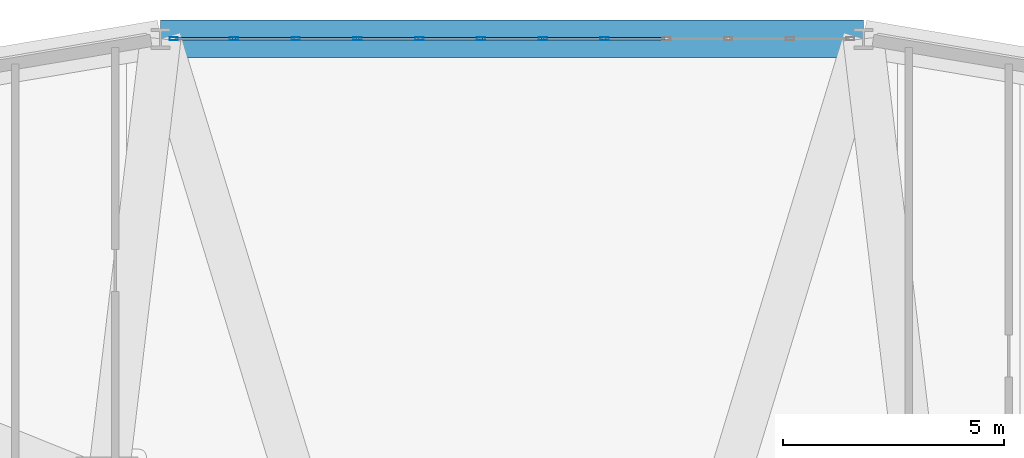
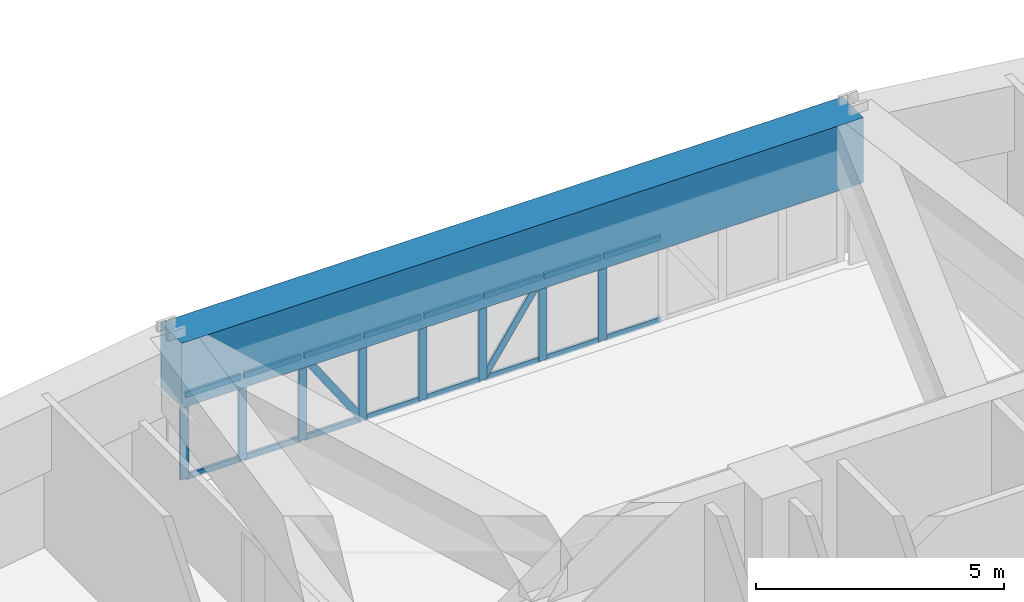
# One storey, part 11 of 20: 26 members, 1 beam, 1 element without a shape of its own.
"""IFC4 building model written with IfcOpenShell, lengths in metres."""

from ifc_helpers import new_model, si_unit, derived_unit, direction, frame, origin, origin_2d, place, context, subcontext, project, spatial, rectangle, hollow_rectangle, extrude, source, transform, mapped, material, layer, layer_set, material_profile, profile_set, type_object, element, aggregate, save


model = new_model("IFC4")

# Units and contexts
model_context = context("Model", 3, precision=1e-05, world=origin(), true_north=direction((0.0, 1.0)))
body_context = subcontext(model_context, "Body", "Model", "MODEL_VIEW")
ifc_project = project(units=[si_unit("LENGTHUNIT", "METRE"), si_unit("AREAUNIT", "SQUARE_METRE"), si_unit("VOLUMEUNIT", "CUBIC_METRE"), si_unit("PLANEANGLEUNIT", "RADIAN"), si_unit("MASSUNIT", "GRAM", prefix="KILO"), derived_unit("THERMALTRANSMITTANCEUNIT", [(si_unit("POWERUNIT", "WATT"), 1), (si_unit("LENGTHUNIT", "METRE"), -2), (si_unit("THERMODYNAMICTEMPERATUREUNIT", "KELVIN"), -1)])], contexts=[model_context])

# Site, building, storey
site_placement = place(None, origin())
site = spatial("IfcSite", under=ifc_project, at=site_placement, CompositionType="ELEMENT")
building_placement = place(site_placement, origin())
building = spatial("IfcBuilding", under=site, at=building_placement, Name="Korsvarv Bourse and Concert Hall", CompositionType="ELEMENT")
storey_placement = place(building_placement, frame((0.0, 0.0, 43.5)))
storey = spatial("IfcBuildingStorey", under=building, at=storey_placement, Name="L10", CompositionType="ELEMENT", Elevation=43.5)

# Beam
ifc_material_1 = material(Name="Concrete C55/67", Category="concrete")
ifc_material_profile_1 = material_profile(ifc_material_1, rectangle(XDim=0.85009765625, YDim=1.60009765625, at=origin_2d()), Name="RC-BM 850x1600")
ifc_profile_set_1 = profile_set([ifc_material_profile_1], Name="Concrete C55/67")
beam_type = type_object("IfcBeamType", Name="BM-TR1B", PredefinedType="BEAM", material=ifc_profile_set_1)
shared_shape_1 = source(origin(), body_context, "Body", "SweptSolid", [
    extrude(rectangle(XDim=0.85009765625, YDim=1.60009765625, at=origin_2d()), origin(), (0.0, 0.0, 1.0), 15.88232421875),
])
beam_placement = place(storey_placement, frame((43.941162109375, 57.401611328125, 2.8798828125), z_axis=(-1.0, 0.0, 0.0), x_axis=(0.0, -1.0, 0.0)))
element("IfcBeam", 1, at=beam_placement, inside=storey, type_object=beam_type, Name="L10 beam B-TR2", PredefinedType="BEAM", context=body_context, shape_type="MappedRepresentation", body=[
    mapped(shared_shape_1, transform((0.0, 0.0, 0.0), scale=1.0)),
])

# Curtain wall, members
ifc_material_2 = material(Name="Anodised aluminium and triple low-E glazing", Category="glass")
ifc_layer = layer(ifc_material_2, 0.219970703125)
ifc_layer_set = layer_set([ifc_layer], Name="Anodised aluminium and triple low-E glazing")
curtain_wall_type = type_object("IfcCurtainWallType", Name="CW-SYS-1", PredefinedType="NOTDEFINED", material=ifc_layer_set)
curtain_wall_placement = place(storey_placement, origin())
curtain_wall = element("IfcCurtainWall", 2, at=curtain_wall_placement, inside=storey, type_object=curtain_wall_type, Name="L10 CW1 curtain wall CW-L10-F03", PredefinedType="NOTDEFINED")
ifc_material_3 = material(Name="Extruded aluminium EN AW-6063 T66", Category="aluminium")
ifc_material_profile_2 = material_profile(ifc_material_3, hollow_rectangle(XDim=0.070068359375, YDim=0.18994140625, WallThickness=0.0048828125, at=origin_2d()), Name="ALU-M 70x190")
ifc_profile_set_2 = profile_set([ifc_material_profile_2], Name="Extruded aluminium EN AW-6063 T66")
member_type_1 = type_object("IfcMemberType", Name="CWM-190", PredefinedType="MULLION", material=ifc_profile_set_2)
shared_shape_2 = source(origin(), body_context, "Body", "SweptSolid", [
    extrude(hollow_rectangle(XDim=0.070068359375, YDim=0.18994140625, WallThickness=0.0048828125, at=origin_2d()), origin(), (0.0, 0.0, 1.0), 2.080078125),
])
member_1_placement = place(storey_placement, frame((38.09423828125, 57.401611328125, 0.0), z_axis=(0.0, 0.0, 1.0), x_axis=(0.0, -1.0, 0.0)))
member_1 = element("IfcMember", 3, at=member_1_placement, type_object=member_type_1, Name="CW1 mullion 5", PredefinedType="MULLION", context=body_context, shape_type="MappedRepresentation", body=[
    mapped(shared_shape_2, transform((0.0, 0.0, 0.0), scale=1.0)),
])
member_2_placement = place(storey_placement, frame((36.697998046875, 57.401611328125, 0.0), z_axis=(0.0, 0.0, 1.0), x_axis=(0.0, -1.0, 0.0)))
member_2 = element("IfcMember", 4, at=member_2_placement, type_object=member_type_1, Name="CW1 mullion 6", PredefinedType="MULLION", context=body_context, shape_type="MappedRepresentation", body=[
    mapped(shared_shape_2, transform((0.0, 0.0, 0.0), scale=1.0)),
])
member_3_placement = place(storey_placement, frame((35.302001953125, 57.401611328125, 0.0), z_axis=(0.0, 0.0, 1.0), x_axis=(0.0, -1.0, 0.0)))
member_3 = element("IfcMember", 5, at=member_3_placement, type_object=member_type_1, Name="CW1 mullion 7", PredefinedType="MULLION", context=body_context, shape_type="MappedRepresentation", body=[
    mapped(shared_shape_2, transform((0.0, 0.0, 0.0), scale=1.0)),
])
member_4_placement = place(storey_placement, frame((33.90576171875, 57.401611328125, 0.0), z_axis=(0.0, 0.0, 1.0), x_axis=(0.0, -1.0, 0.0)))
member_4 = element("IfcMember", 6, at=member_4_placement, type_object=member_type_1, Name="CW1 mullion 8", PredefinedType="MULLION", context=body_context, shape_type="MappedRepresentation", body=[
    mapped(shared_shape_2, transform((0.0, 0.0, 0.0), scale=1.0)),
])
member_5_placement = place(storey_placement, frame((32.509521484375, 57.401611328125, 0.0), z_axis=(0.0, 0.0, 1.0), x_axis=(0.0, -1.0, 0.0)))
member_5 = element("IfcMember", 7, at=member_5_placement, type_object=member_type_1, Name="CW1 mullion 9", PredefinedType="MULLION", context=body_context, shape_type="MappedRepresentation", body=[
    mapped(shared_shape_2, transform((0.0, 0.0, 0.0), scale=1.0)),
])
member_6_placement = place(storey_placement, frame((31.11328125, 57.401611328125, 0.0), z_axis=(0.0, 0.0, 1.0), x_axis=(0.0, -1.0, 0.0)))
member_6 = element("IfcMember", 8, at=member_6_placement, type_object=member_type_1, Name="CW1 mullion 10", PredefinedType="MULLION", context=body_context, shape_type="MappedRepresentation", body=[
    mapped(shared_shape_2, transform((0.0, 0.0, 0.0), scale=1.0)),
])
member_7_placement = place(storey_placement, frame((29.717041015625, 57.401611328125, 0.0), z_axis=(0.0, 0.0, 1.0), x_axis=(0.0, -1.0, 0.0)))
member_7 = element("IfcMember", 9, at=member_7_placement, type_object=member_type_1, Name="CW1 mullion 11", PredefinedType="MULLION", context=body_context, shape_type="MappedRepresentation", body=[
    mapped(shared_shape_2, transform((0.0, 0.0, 0.0), scale=1.0)),
])
member_8_placement = place(storey_placement, frame((28.35595703125, 57.401611328125, 0.0), z_axis=(0.0, 0.0, 1.0), x_axis=(0.0, -1.0, 0.0)))
member_8 = element("IfcMember", 10, at=member_8_placement, type_object=member_type_1, Name="CW1 mullion 12", PredefinedType="MULLION", context=body_context, shape_type="MappedRepresentation", body=[
    mapped(shared_shape_2, transform((0.0, 0.0, 0.0), scale=1.0)),
])
ifc_material_profile_3 = material_profile(ifc_material_3, hollow_rectangle(XDim=0.06494140625, YDim=0.139892578125, WallThickness=0.00390625, at=origin_2d()), Name="ALU-T 65x140")
ifc_profile_set_3 = profile_set([ifc_material_profile_3], Name="Extruded aluminium EN AW-6063 T66")
member_type_2 = type_object("IfcMemberType", Name="CWT-140", PredefinedType="USERDEFINED", material=ifc_profile_set_3)
shared_shape_3 = source(origin(), body_context, "Body", "SweptSolid", [
    extrude(hollow_rectangle(XDim=0.06494140625, YDim=0.139892578125, WallThickness=0.00390625, at=origin_2d()), origin(), (0.0, 0.0, 1.0), 1.291259765625),
])
member_9_placement = place(storey_placement, frame((29.68212890625, 57.401611328125, 0.032470703125), z_axis=(-1.0, 0.0, 0.0), x_axis=(0.0, -1.0, 0.0)))
member_9 = element("IfcMember", 11, at=member_9_placement, type_object=member_type_2, Name="CW1 transom 11.1", ObjectType="TRANSOM", PredefinedType="USERDEFINED", context=body_context, shape_type="MappedRepresentation", body=[
    mapped(shared_shape_3, transform((0.0, 0.0, 0.0), scale=1.0)),
])
member_10_placement = place(storey_placement, frame((29.68212890625, 57.401611328125, 2.047607421875), z_axis=(-1.0, 0.0, 0.0), x_axis=(0.0, -1.0, 0.0)))
member_10 = element("IfcMember", 12, at=member_10_placement, type_object=member_type_2, Name="CW1 transom 11.2", ObjectType="TRANSOM", PredefinedType="USERDEFINED", context=body_context, shape_type="MappedRepresentation", body=[
    mapped(shared_shape_3, transform((0.0, 0.0, 0.0), scale=1.0)),
])
shared_shape_4 = source(origin(), body_context, "Body", "SweptSolid", [
    extrude(hollow_rectangle(XDim=0.06494140625, YDim=0.139892578125, WallThickness=0.00390625, at=origin_2d()), origin(), (0.0, 0.0, 1.0), 1.326171875),
])
member_11_placement = place(storey_placement, frame((39.45556640625, 57.401611328125, 0.032470703125), z_axis=(-1.0, 0.0, 0.0), x_axis=(0.0, -1.0, 0.0)))
member_11 = element("IfcMember", 13, at=member_11_placement, type_object=member_type_2, Name="CW1 transom 4.1", ObjectType="TRANSOM", PredefinedType="USERDEFINED", context=body_context, shape_type="MappedRepresentation", body=[
    mapped(shared_shape_4, transform((0.0, 0.0, 0.0), scale=1.0)),
])
member_12_placement = place(storey_placement, frame((39.45556640625, 57.401611328125, 2.047607421875), z_axis=(-1.0, 0.0, 0.0), x_axis=(0.0, -1.0, 0.0)))
member_12 = element("IfcMember", 14, at=member_12_placement, type_object=member_type_2, Name="CW1 transom 4.2", ObjectType="TRANSOM", PredefinedType="USERDEFINED", context=body_context, shape_type="MappedRepresentation", body=[
    mapped(shared_shape_4, transform((0.0, 0.0, 0.0), scale=1.0)),
])
member_13_placement = place(storey_placement, frame((38.059326171875, 57.401611328125, 0.032470703125), z_axis=(-1.0, 0.0, 0.0), x_axis=(0.0, -1.0, 0.0)))
member_13 = element("IfcMember", 15, at=member_13_placement, type_object=member_type_2, Name="CW1 transom 5.1", ObjectType="TRANSOM", PredefinedType="USERDEFINED", context=body_context, shape_type="MappedRepresentation", body=[
    mapped(shared_shape_4, transform((0.0, 0.0, 0.0), scale=1.0)),
])
member_14_placement = place(storey_placement, frame((38.059326171875, 57.401611328125, 2.047607421875), z_axis=(-1.0, 0.0, 0.0), x_axis=(0.0, -1.0, 0.0)))
member_14 = element("IfcMember", 16, at=member_14_placement, type_object=member_type_2, Name="CW1 transom 5.2", ObjectType="TRANSOM", PredefinedType="USERDEFINED", context=body_context, shape_type="MappedRepresentation", body=[
    mapped(shared_shape_4, transform((0.0, 0.0, 0.0), scale=1.0)),
])
member_15_placement = place(storey_placement, frame((36.6630859375, 57.401611328125, 0.032470703125), z_axis=(-1.0, 0.0, 0.0), x_axis=(0.0, -1.0, 0.0)))
member_15 = element("IfcMember", 17, at=member_15_placement, type_object=member_type_2, Name="CW1 transom 6.1", ObjectType="TRANSOM", PredefinedType="USERDEFINED", context=body_context, shape_type="MappedRepresentation", body=[
    mapped(shared_shape_4, transform((0.0, 0.0, 0.0), scale=1.0)),
])
member_16_placement = place(storey_placement, frame((36.6630859375, 57.401611328125, 2.047607421875), z_axis=(-1.0, 0.0, 0.0), x_axis=(0.0, -1.0, 0.0)))
member_16 = element("IfcMember", 18, at=member_16_placement, type_object=member_type_2, Name="CW1 transom 6.2", ObjectType="TRANSOM", PredefinedType="USERDEFINED", context=body_context, shape_type="MappedRepresentation", body=[
    mapped(shared_shape_4, transform((0.0, 0.0, 0.0), scale=1.0)),
])
member_17_placement = place(storey_placement, frame((35.266845703125, 57.401611328125, 0.032470703125), z_axis=(-1.0, 0.0, 0.0), x_axis=(0.0, -1.0, 0.0)))
member_17 = element("IfcMember", 19, at=member_17_placement, type_object=member_type_2, Name="CW1 transom 7.1", ObjectType="TRANSOM", PredefinedType="USERDEFINED", context=body_context, shape_type="MappedRepresentation", body=[
    mapped(shared_shape_4, transform((0.0, 0.0, 0.0), scale=1.0)),
])
member_18_placement = place(storey_placement, frame((35.266845703125, 57.401611328125, 2.047607421875), z_axis=(-1.0, 0.0, 0.0), x_axis=(0.0, -1.0, 0.0)))
member_18 = element("IfcMember", 20, at=member_18_placement, type_object=member_type_2, Name="CW1 transom 7.2", ObjectType="TRANSOM", PredefinedType="USERDEFINED", context=body_context, shape_type="MappedRepresentation", body=[
    mapped(shared_shape_4, transform((0.0, 0.0, 0.0), scale=1.0)),
])
member_19_placement = place(storey_placement, frame((33.87060546875, 57.401611328125, 0.032470703125), z_axis=(-1.0, 0.0, 0.0), x_axis=(0.0, -1.0, 0.0)))
member_19 = element("IfcMember", 21, at=member_19_placement, type_object=member_type_2, Name="CW1 transom 8.1", ObjectType="TRANSOM", PredefinedType="USERDEFINED", context=body_context, shape_type="MappedRepresentation", body=[
    mapped(shared_shape_4, transform((0.0, 0.0, 0.0), scale=1.0)),
])
member_20_placement = place(storey_placement, frame((33.87060546875, 57.401611328125, 2.047607421875), z_axis=(-1.0, 0.0, 0.0), x_axis=(0.0, -1.0, 0.0)))
member_20 = element("IfcMember", 22, at=member_20_placement, type_object=member_type_2, Name="CW1 transom 8.2", ObjectType="TRANSOM", PredefinedType="USERDEFINED", context=body_context, shape_type="MappedRepresentation", body=[
    mapped(shared_shape_4, transform((0.0, 0.0, 0.0), scale=1.0)),
])
member_21_placement = place(storey_placement, frame((31.078369140625, 57.401611328125, 0.032470703125), z_axis=(-1.0, 0.0, 0.0), x_axis=(0.0, -1.0, 0.0)))
member_21 = element("IfcMember", 23, at=member_21_placement, type_object=member_type_2, Name="CW1 transom 10.1", ObjectType="TRANSOM", PredefinedType="USERDEFINED", context=body_context, shape_type="MappedRepresentation", body=[
    mapped(shared_shape_4, transform((0.0, 0.0, 0.0), scale=1.0)),
])
member_22_placement = place(storey_placement, frame((31.078369140625, 57.401611328125, 2.047607421875), z_axis=(-1.0, 0.0, 0.0), x_axis=(0.0, -1.0, 0.0)))
member_22 = element("IfcMember", 24, at=member_22_placement, type_object=member_type_2, Name="CW1 transom 10.2", ObjectType="TRANSOM", PredefinedType="USERDEFINED", context=body_context, shape_type="MappedRepresentation", body=[
    mapped(shared_shape_4, transform((0.0, 0.0, 0.0), scale=1.0)),
])
shared_shape_5 = source(origin(), body_context, "Body", "SweptSolid", [
    extrude(hollow_rectangle(XDim=0.06494140625, YDim=0.139892578125, WallThickness=0.00390625, at=origin_2d()), origin(), (0.0, 0.0, 1.0), 1.326416015625),
])
member_23_placement = place(storey_placement, frame((32.474609375, 57.401611328125, 0.032470703125), z_axis=(-1.0, 0.0, 0.0), x_axis=(0.0, -1.0, 0.0)))
member_23 = element("IfcMember", 25, at=member_23_placement, type_object=member_type_2, Name="CW1 transom 9.1", ObjectType="TRANSOM", PredefinedType="USERDEFINED", context=body_context, shape_type="MappedRepresentation", body=[
    mapped(shared_shape_5, transform((0.0, 0.0, 0.0), scale=1.0)),
])
member_24_placement = place(storey_placement, frame((32.474609375, 57.401611328125, 2.047607421875), z_axis=(-1.0, 0.0, 0.0), x_axis=(0.0, -1.0, 0.0)))
member_24 = element("IfcMember", 26, at=member_24_placement, type_object=member_type_2, Name="CW1 transom 9.2", ObjectType="TRANSOM", PredefinedType="USERDEFINED", context=body_context, shape_type="MappedRepresentation", body=[
    mapped(shared_shape_5, transform((0.0, 0.0, 0.0), scale=1.0)),
])
ifc_material_profile_4 = material_profile(ifc_material_3, hollow_rectangle(XDim=0.06494140625, YDim=0.1650390625, WallThickness=0.0048828125, at=origin_2d()), Name="ALU-M 65x165")
ifc_profile_set_4 = profile_set([ifc_material_profile_4], Name="Extruded aluminium EN AW-6063 T66")
member_type_3 = type_object("IfcMemberType", Name="CWM-165", PredefinedType="MULLION", material=ifc_profile_set_4)
shared_shape_6 = source(origin(), body_context, "Body", "SweptSolid", [
    extrude(hollow_rectangle(XDim=0.06494140625, YDim=0.1650390625, WallThickness=0.0048828125, at=origin_2d()), origin(), (0.0, 0.0, 1.0), 2.3583984375),
])
member_25_placement = place(storey_placement, frame((32.474609375, 57.401611328125, 0.06494140625), z_axis=(-0.562440267615, 0.0, 0.826837919647), x_axis=(0.0, -1.0, 0.0)))
member_25 = element("IfcMember", 27, at=member_25_placement, type_object=member_type_3, Name="CW1 diagonal mullion 9", PredefinedType="MULLION", context=body_context, shape_type="MappedRepresentation", body=[
    mapped(shared_shape_6, transform((0.0, 0.0, 0.0), scale=1.0)),
])
shared_shape_7 = source(origin(), body_context, "Body", "SweptSolid", [
    extrude(hollow_rectangle(XDim=0.06494140625, YDim=0.1650390625, WallThickness=0.0048828125, at=origin_2d()), origin(), (0.0, 0.0, 1.0), 2.358154296875),
])
member_26_placement = place(storey_placement, frame((35.3369140625, 57.401611328125, 0.06494140625), z_axis=(0.562369486825, 0.0, 0.826886062458), x_axis=(0.0, 1.0, 0.0)))
member_26 = element("IfcMember", 28, at=member_26_placement, type_object=member_type_3, Name="CW1 diagonal mullion 6", PredefinedType="MULLION", context=body_context, shape_type="MappedRepresentation", body=[
    mapped(shared_shape_7, transform((0.0, 0.0, 0.0), scale=1.0)),
])
aggregate(curtain_wall, [member_1, member_2, member_3, member_4, member_5, member_6, member_7, member_8, member_11, member_12, member_13, member_14, member_15, member_16, member_26, member_17, member_18, member_19, member_20, member_23, member_24, member_25, member_21, member_22, member_9, member_10])

save(model, "model.ifc")
